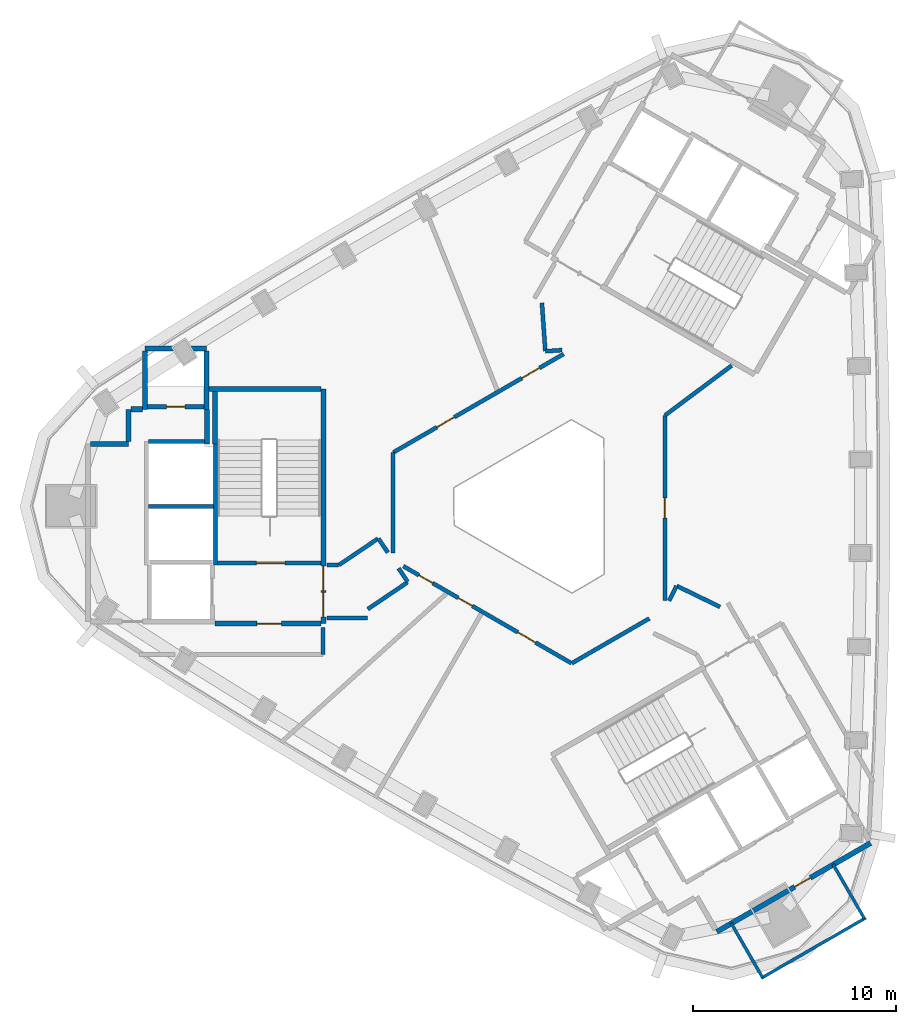
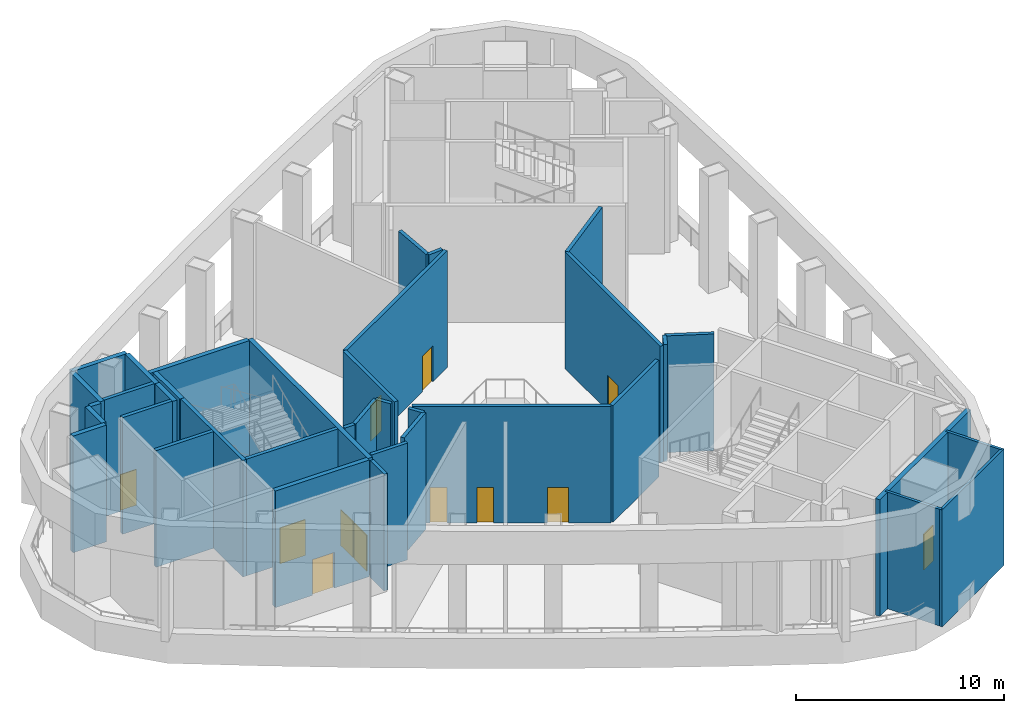
# One storey, part 3 of 8: 37 walls, 12 doors, 12 openings.
"""IFC4 building model written with IfcOpenShell, lengths in metres."""

import ifcopenshell
import ifcopenshell.guid

model = None  # the IFC model being written
_history = None  # IfcOwnerHistory: only IFC2X3 demands one
_inside = {}  # id of a spatial element -> (the spatial element, [elements in it])
_under = {}  # id of a project, library or spatial element -> (it, [spatial elements below it])
_declared = {}  # id of a project -> (the project, [libraries it declares])
_typed = {}  # id of a type object -> (the type object, [elements of that type])
_made_of = {}  # id of a material, layer set ... -> (it, [elements and type objects made of it])


def new_model(schema):
    """Start an empty IFC model of exactly this schema.

    Asked for "IFC4X3", IfcOpenShell would pick the latest addendum, in which some entities
    have other attributes; the version numbers below select the first issue.
    IFC2X3 requires an IfcOwnerHistory on every rooted entity: one is made here for all.
    """
    global model, _history
    if schema == "IFC4X3":
        model = ifcopenshell.file(schema_version=(4, 3, 0, 0))
    else:
        model = ifcopenshell.file(schema=schema)
    _inside.clear()
    _under.clear()
    _declared.clear()
    _typed.clear()
    _made_of.clear()
    _history = None
    if model.schema == "IFC2X3":
        org = make("IfcOrganization", Name="unknown")
        user = make(
            "IfcPersonAndOrganization",
            ThePerson=make("IfcPerson", FamilyName="unknown"),
            TheOrganization=org,
        )
        app = make(
            "IfcApplication",
            ApplicationDeveloper=org,
            Version="unknown",
            ApplicationFullName="unknown",
            ApplicationIdentifier="unknown",
        )
        _history = make(
            "IfcOwnerHistory",
            OwningUser=user,
            OwningApplication=app,
            ChangeAction="ADDED",
            CreationDate=0,
        )
    return model


def make(cls, **values):
    """One entity of the class cls with the attributes given. An attribute that is None is left unset."""
    return model.create_entity(
        cls, **{name: value for name, value in values.items() if value is not None}
    )


def rooted(cls, **values):
    """An entity with a GlobalId (a new one), such as an element, a storey or a relation."""
    return make(cls, GlobalId=ifcopenshell.guid.new(), OwnerHistory=_history, **values)


def si_unit(unit_type, name, prefix=None):
    """IfcSIUnit, for example si_unit("LENGTHUNIT", "METRE", prefix="MILLI")."""
    return make("IfcSIUnit", UnitType=unit_type, Prefix=prefix, Name=name)


def assignment(units):
    """IfcUnitAssignment: the units of a project."""
    return None if units is None else make("IfcUnitAssignment", Units=units)


def point(xyz):
    """IfcCartesianPoint."""
    return None if xyz is None else make("IfcCartesianPoint", Coordinates=xyz)


def direction(xyz):
    """IfcDirection."""
    return None if xyz is None else make("IfcDirection", DirectionRatios=xyz)


def frame(location, z_axis=None, x_axis=None):
    """IfcAxis2Placement3D, a coordinate frame: its origin and axes. An axis left out is left unset."""
    return make(
        "IfcAxis2Placement3D",
        Location=point(location),
        Axis=direction(z_axis),
        RefDirection=direction(x_axis),
    )


def frame_2d(location, x_axis=None):
    """IfcAxis2Placement2D, a coordinate frame in the plane: its origin and x axis."""
    return make(
        "IfcAxis2Placement2D", Location=point(location), RefDirection=direction(x_axis)
    )


def origin():
    """The frame at (0, 0, 0) with its axes left unset."""
    return frame((0.0, 0.0, 0.0))


def place(relative_to, where):
    """IfcLocalPlacement: puts the frame where relative to a parent placement (None: the world)."""
    return make(
        "IfcLocalPlacement", PlacementRelTo=relative_to, RelativePlacement=where
    )


def context(
    kind, dimensions, precision=None, world=None, true_north=None, identifier=None
):
    """IfcGeometricRepresentationContext, for example the 3D "Model" context."""
    return make(
        "IfcGeometricRepresentationContext",
        ContextIdentifier=identifier,
        ContextType=kind,
        CoordinateSpaceDimension=dimensions,
        Precision=precision,
        WorldCoordinateSystem=world,
        TrueNorth=true_north,
    )


def subcontext(parent, identifier, kind, view, scale=None):
    """IfcGeometricRepresentationSubContext, for example "Body" below "Model"."""
    return make(
        "IfcGeometricRepresentationSubContext",
        ContextIdentifier=identifier,
        ContextType=kind,
        ParentContext=parent,
        TargetScale=scale,
        TargetView=view,
    )


def project(units=None, contexts=None):
    """IfcProject with its units and contexts."""
    return rooted(
        "IfcProject",
        Name="project",
        RepresentationContexts=contexts,
        UnitsInContext=assignment(units),
    )


def spatial(cls, under=None, at=None, **own):
    """A site, building, storey or space (cls), placed at a placement, below another one or the project."""
    s = rooted(cls, ObjectPlacement=at, **own)
    if under is not None:
        _under.setdefault(under.id(), (under, []))[1].append(s)
    return s


def profile(cls, at=None, kind="AREA", **sizes):
    """A parametric profile (cls). Its sizes go by their IFC names, for example OverallWidth=200.0."""
    return make(cls, ProfileType=kind, Position=at, **sizes)


def rectangle(**sizes):
    """IfcRectangleProfileDef."""
    return profile("IfcRectangleProfileDef", **sizes)


def extrude(swept, where, along, depth):
    """IfcExtrudedAreaSolid: the profile swept, set in the frame where, extruded along a direction by depth."""
    return make(
        "IfcExtrudedAreaSolid",
        SweptArea=swept,
        Position=where,
        ExtrudedDirection=direction(along),
        Depth=depth,
    )


def shape(context_of_items, identifier, shape_type, items):
    """IfcShapeRepresentation: the items that make up one representation, for example the "Body"."""
    return make(
        "IfcShapeRepresentation",
        ContextOfItems=context_of_items,
        RepresentationIdentifier=identifier,
        RepresentationType=shape_type,
        Items=items,
    )


def material(Name=None, Category=None):
    """IfcMaterial."""
    return make("IfcMaterial", Name=Name, Category=Category)


def layer(
    of_material, thickness, ventilated=None, Name=None, Category=None, Priority=None
):
    """IfcMaterialLayer: one layer of a wall or slab, of a material (None: an air gap)."""
    return make(
        "IfcMaterialLayer",
        Material=of_material,
        LayerThickness=thickness,
        IsVentilated=ventilated,
        Name=Name,
        Category=Category,
        Priority=Priority,
    )


def layer_set(layers, Name=None):
    """IfcMaterialLayerSet."""
    return make("IfcMaterialLayerSet", MaterialLayers=layers, LayerSetName=Name)


def made_of(thing, what):
    """Note that an element or type object is made of a material, layer set ...; save() writes the relation."""
    if what is not None:
        _made_of.setdefault(what.id(), (what, []))[1].append(thing)
    return thing


def type_object(cls, material=None, **own):
    """A type object (cls), such as IfcWallType, which elements share."""
    return made_of(rooted(cls, **own), material)


def element(
    cls,
    number,
    at=None,
    inside=None,
    cuts=None,
    type_object=None,
    material=None,
    context=None,
    identifier="Body",
    shape_type=None,
    held_by="IfcProductDefinitionShape",
    body=None,
    shapes=None,
    **own,
):
    """One element of the class cls, such as IfcWall. Its Tag is "e" and its number.

    at: its placement. inside: the storey or other place that contains it. cuts: it is an
    opening in that element (IfcRelVoidsElement). A single representation is given by context,
    identifier, shape_type and body (its items); several are given by shapes. held_by: the class
    of the entity that holds the representations. save() writes the other relations.
    """
    e = rooted(cls, Tag="e%d" % number, ObjectPlacement=at, **own)
    if body is not None:
        shapes = [shape(context, identifier, shape_type, body)]
    if shapes is not None:
        e.Representation = make(held_by, Representations=shapes)
    if inside is not None:
        _inside.setdefault(inside.id(), (inside, []))[1].append(e)
    if cuts is not None:
        rooted(
            "IfcRelVoidsElement", RelatingBuildingElement=cuts, RelatedOpeningElement=e
        )
    if type_object is not None:
        _typed.setdefault(type_object.id(), (type_object, []))[1].append(e)
    return made_of(e, material)


def fill(opening, filler):
    """IfcRelFillsElement: the door or window that sits in an opening."""
    return rooted(
        "IfcRelFillsElement",
        RelatingOpeningElement=opening,
        RelatedBuildingElement=filler,
    )


def aggregate(whole, parts):
    """IfcRelAggregates: a whole, such as a stair, and the parts it consists of."""
    return rooted("IfcRelAggregates", RelatingObject=whole, RelatedObjects=parts)


def save(model, path):
    """Write the relations noted so far, then the file.

    IfcRelAggregates (storeys below a building ...), IfcRelContainedInSpatialStructure (elements
    in a storey), IfcRelDefinesByType, IfcRelAssociatesMaterial and IfcRelDeclares: one each for
    every whole, place, type object, material and project.
    """
    for whole, parts in _under.values():
        aggregate(whole, parts)
    for where, things in _inside.values():
        rooted(
            "IfcRelContainedInSpatialStructure",
            RelatedElements=things,
            RelatingStructure=where,
        )
    for kind, things in _typed.values():
        rooted("IfcRelDefinesByType", RelatedObjects=things, RelatingType=kind)
    for what, things in _made_of.values():
        rooted("IfcRelAssociatesMaterial", RelatedObjects=things, RelatingMaterial=what)
    for by, libraries in _declared.values():
        rooted("IfcRelDeclares", RelatingContext=by, RelatedDefinitions=libraries)
    model.write(path)


model = new_model("IFC4")

# Units and contexts
model_context = context("Model", 3, precision=1e-05, world=origin(), true_north=direction((0.0, 1.0)))
body_context = subcontext(model_context, "Body", "Model", "MODEL_VIEW")
ifc_project = project(units=[si_unit("LENGTHUNIT", "METRE"), si_unit("AREAUNIT", "SQUARE_METRE"), si_unit("VOLUMEUNIT", "CUBIC_METRE"), si_unit("PLANEANGLEUNIT", "RADIAN"), si_unit("MASSUNIT", "GRAM", prefix="KILO")], contexts=[model_context])

# Site, building, storey
site_placement = place(None, origin())
site = spatial("IfcSite", under=ifc_project, at=site_placement, CompositionType="ELEMENT")
building_placement = place(site_placement, origin())
building = spatial("IfcBuilding", under=site, at=building_placement, Name="Tamra Quay Hotel Tower", CompositionType="ELEMENT")
storey_placement = place(building_placement, frame((0.0, 0.0, 283.800048828125)))
storey = spatial("IfcBuildingStorey", under=building, at=storey_placement, Name="L72", CompositionType="ELEMENT", Elevation=283.800048828125)

# Wall
ifc_material_1 = material(Name="Concrete M70", Category="concrete")
ifc_layer_1 = layer(ifc_material_1, 0.199951171875)
ifc_layer_set_1 = layer_set([ifc_layer_1], Name="Concrete M70 core wall 200")
wall_type_1 = type_object("IfcWallType", Name="Concrete M70 core wall 200", PredefinedType="SHEAR", material=ifc_layer_set_1)
wall_1_placement = place(storey_placement, frame((-16.162109375, 3.073974609375, 0.0), z_axis=(0.0, 0.0, 1.0), x_axis=(0.0, -1.0, 0.0)))
element("IfcWall", 1, at=wall_1_placement, inside=storey, type_object=wall_type_1, Name="CW2", PredefinedType="SHEAR", context=body_context, shape_type="SweptSolid", body=[
    extrude(rectangle(XDim=5.97412109375, YDim=0.199951171875, at=frame_2d((2.987060546875, 0.0))), origin(), (0.0, 0.0, 1.0), 6.849853515625),
])

# Wall, opening, door
wall_2_placement = place(storey_placement, frame((-10.96337890625, -2.800048828125, 0.0), z_axis=(0.0, 0.0, 1.0), x_axis=(-1.0, 0.0, 0.0)))
wall_2 = element("IfcWall", 2, at=wall_2_placement, inside=storey, type_object=wall_type_1, Name="CW2", PredefinedType="SHEAR", context=body_context, shape_type="SweptSolid", body=[
    extrude(rectangle(XDim=5.097900390625, YDim=0.199951171875, at=frame_2d((2.548828125, 0.0))), origin(), (0.0, 0.0, 1.0), 6.849853515625),
])
opening_1_placement = place(wall_2_placement, frame((1.77392578125, 0.0, 0.0)))
opening_1 = element("IfcOpeningElement", 3, at=opening_1_placement, cuts=wall_2, Name="Opening FD2", PredefinedType="OPENING", context=body_context, shape_type="SweptSolid", body=[
    extrude(rectangle(XDim=1.39990234375, YDim=2.10009765625, at=frame_2d((0.699951171875, 1.050048828125))), frame((0.0, 0.10986328125, 0.0), z_axis=(0.0, -1.0, 0.0), x_axis=(1.0, 0.0, 0.0)), (0.0, 0.0, 1.0), 0.219970703125),
])
ifc_material_2 = material(Name="Core door FD2 1400x2100 LH")
door_type_1 = type_object("IfcDoorType", Name="Core door FD2 1400x2100 LH", OperationType="NOTDEFINED", PredefinedType="DOOR", material=ifc_material_2)
door_1_placement = place(opening_1_placement, origin())
door_1 = element("IfcDoor", 4, at=door_1_placement, inside=storey, type_object=door_type_1, Name="FD2", OperationType="SINGLE_SWING_LEFT", OverallHeight=2.10009765625, OverallWidth=1.39990234375, PredefinedType="DOOR", context=body_context, shape_type="SweptSolid", body=[
    extrude(rectangle(XDim=1.39990234375, YDim=2.10009765625, at=frame_2d((0.699951171875, 1.050048828125))), frame((0.0, 0.02490234375, 0.0), z_axis=(0.0, -1.0, 0.0), x_axis=(1.0, 0.0, 0.0)), (0.0, 0.0, 1.0), 0.050048828125),
])
fill(opening_1, door_1)

# Wall
wall_3_placement = place(storey_placement, frame((-16.26318359375, 0.0, 0.0), z_axis=(0.0, 0.0, 1.0), x_axis=(-1.0, 0.0, 0.0)))
element("IfcWall", 5, at=wall_3_placement, inside=storey, type_object=wall_type_1, Name="CW2", PredefinedType="SHEAR", context=body_context, shape_type="SweptSolid", body=[
    extrude(rectangle(XDim=3.1982421875, YDim=0.199951171875, at=frame_2d((1.59912109375, 0.0))), origin(), (0.0, 0.0, 1.0), 6.849853515625),
])

# Wall, opening, door
wall_4_placement = place(storey_placement, frame((-19.51123046875, 4.91015625, 0.0), z_axis=(0.0, 0.0, 1.0), x_axis=(1.0, 0.0, 0.0)))
wall_4 = element("IfcWall", 6, at=wall_4_placement, inside=storey, type_object=wall_type_1, Name="CW2", PredefinedType="SHEAR", context=body_context, shape_type="SweptSolid", body=[
    extrude(rectangle(XDim=2.7978515625, YDim=0.199951171875, at=frame_2d((1.39892578125, 0.0))), origin(), (0.0, 0.0, 1.0), 6.849853515625),
])
opening_2_placement = place(wall_4_placement, frame((0.948974609375, 0.0, 0.0)))
opening_2 = element("IfcOpeningElement", 7, at=opening_2_placement, cuts=wall_4, Name="Opening D1", PredefinedType="OPENING", context=body_context, shape_type="SweptSolid", body=[
    extrude(rectangle(XDim=0.89990234375, YDim=2.10009765625, at=frame_2d((0.449951171875, 1.050048828125))), frame((0.0, 0.10986328125, 0.0), z_axis=(0.0, -1.0, 0.0), x_axis=(1.0, 0.0, 0.0)), (0.0, 0.0, 1.0), 0.219970703125),
])
ifc_material_3 = material(Name="Core door D1 900x2100 RH")
door_type_2 = type_object("IfcDoorType", Name="Core door D1 900x2100 RH", OperationType="NOTDEFINED", PredefinedType="DOOR", material=ifc_material_3)
door_2_placement = place(opening_2_placement, origin())
door_2 = element("IfcDoor", 8, at=door_2_placement, inside=storey, type_object=door_type_2, Name="D1", OperationType="SINGLE_SWING_RIGHT", OverallHeight=2.10009765625, OverallWidth=0.89990234375, PredefinedType="DOOR", context=body_context, shape_type="SweptSolid", body=[
    extrude(rectangle(XDim=0.89990234375, YDim=2.10009765625, at=frame_2d((0.449951171875, 1.050048828125))), frame((0.0, 0.02490234375, 0.0), z_axis=(0.0, -1.0, 0.0), x_axis=(1.0, 0.0, 0.0)), (0.0, 0.0, 1.0), 0.050048828125),
])
fill(opening_2, door_2)

# Wall
wall_5_placement = place(storey_placement, frame((-19.46240234375, 3.2001953125, 0.0), z_axis=(0.0, 0.0, 1.0), x_axis=(1.0, 0.0, 0.0)))
element("IfcWall", 9, at=wall_5_placement, inside=storey, type_object=wall_type_1, Name="CW2", PredefinedType="SHEAR", context=body_context, shape_type="SweptSolid", body=[
    extrude(rectangle(XDim=2.759033203125, YDim=0.199951171875, at=frame_2d((1.37939453125, 0.0))), origin(), (0.0, 0.0, 1.0), 6.849853515625),
])

# Wall, openings, doors
ifc_layer_2 = layer(ifc_material_1, 0.25)
ifc_layer_set_2 = layer_set([ifc_layer_2], Name="Concrete M70 core wall 250")
wall_type_2 = type_object("IfcWallType", Name="Concrete M70 core wall 250", PredefinedType="SHEAR", material=ifc_layer_set_2)
wall_6_placement = place(storey_placement, frame((-10.83740234375, 5.77490234375, 0.0), z_axis=(0.0, 0.0, 1.0), x_axis=(0.0, -1.0, 0.0)))
wall_6 = element("IfcWall", 10, at=wall_6_placement, inside=storey, type_object=wall_type_2, Name="CW1", PredefinedType="SHEAR", context=body_context, shape_type="SweptSolid", body=[
    extrude(rectangle(XDim=11.5498046875, YDim=0.25, at=frame_2d((5.77490234375, 0.0))), origin(), (0.0, 0.0, 1.0), 6.849853515625),
])
opening_3_placement = place(wall_6_placement, frame((10.02490234375, 0.0, 0.0)))
opening_3 = element("IfcOpeningElement", 11, at=opening_3_placement, cuts=wall_6, Name="Opening FD1", PredefinedType="OPENING", context=body_context, shape_type="SweptSolid", body=[
    extrude(rectangle(XDim=1.199951171875, YDim=2.10009765625, at=frame_2d((0.60009765625, 1.050048828125))), frame((0.0, 0.135009765625, 0.0), z_axis=(0.0, -1.0, 0.0), x_axis=(1.0, 0.0, 0.0)), (0.0, 0.0, 1.0), 0.27001953125),
])
opening_4_placement = place(wall_6_placement, frame((8.72509765625, 0.0, 0.0)))
opening_4 = element("IfcOpeningElement", 12, at=opening_4_placement, cuts=wall_6, Name="Opening FD1", PredefinedType="OPENING", context=body_context, shape_type="SweptSolid", body=[
    extrude(rectangle(XDim=1.199951171875, YDim=2.10009765625, at=frame_2d((0.60009765625, 1.050048828125))), frame((0.0, 0.135009765625, 0.0), z_axis=(0.0, -1.0, 0.0), x_axis=(1.0, 0.0, 0.0)), (0.0, 0.0, 1.0), 0.27001953125),
])
ifc_material_4 = material(Name="Core door FD1 1200x2100 LH")
door_type_3 = type_object("IfcDoorType", Name="Core door FD1 1200x2100 LH", OperationType="NOTDEFINED", PredefinedType="DOOR", material=ifc_material_4)
door_3_placement = place(opening_3_placement, origin())
door_3 = element("IfcDoor", 13, at=door_3_placement, inside=storey, type_object=door_type_3, Name="FD1", OperationType="SINGLE_SWING_LEFT", OverallHeight=2.10009765625, OverallWidth=1.199951171875, PredefinedType="DOOR", context=body_context, shape_type="SweptSolid", body=[
    extrude(rectangle(XDim=1.199951171875, YDim=2.10009765625, at=frame_2d((0.60009765625, 1.050048828125))), frame((0.0, 0.02490234375, 0.0), z_axis=(0.0, -1.0, 0.0), x_axis=(1.0, 0.0, 0.0)), (0.0, 0.0, 1.0), 0.050048828125),
])
fill(opening_3, door_3)
ifc_material_5 = material(Name="Core door FD1 1200x2100 RH")
door_type_4 = type_object("IfcDoorType", Name="Core door FD1 1200x2100 RH", OperationType="NOTDEFINED", PredefinedType="DOOR", material=ifc_material_5)
door_4_placement = place(opening_4_placement, origin())
door_4 = element("IfcDoor", 14, at=door_4_placement, inside=storey, type_object=door_type_4, Name="FD1", OperationType="SINGLE_SWING_RIGHT", OverallHeight=2.10009765625, OverallWidth=1.199951171875, PredefinedType="DOOR", context=body_context, shape_type="SweptSolid", body=[
    extrude(rectangle(XDim=1.199951171875, YDim=2.10009765625, at=frame_2d((0.60009765625, 1.050048828125))), frame((0.0, 0.02490234375, 0.0), z_axis=(0.0, -1.0, 0.0), x_axis=(1.0, 0.0, 0.0)), (0.0, 0.0, 1.0), 0.050048828125),
])
fill(opening_4, door_4)

# Wall, opening, door
wall_7_placement = place(storey_placement, frame((-10.962646484375, -5.77490234375, 0.0), z_axis=(0.0, 0.0, 1.0), x_axis=(-1.0, 0.0, 0.0)))
wall_7 = element("IfcWall", 15, at=wall_7_placement, inside=storey, type_object=wall_type_2, Name="CW1", PredefinedType="SHEAR", context=body_context, shape_type="SweptSolid", body=[
    extrude(rectangle(XDim=5.224609375, YDim=0.25, at=frame_2d((2.6123046875, 0.0))), origin(), (0.0, 0.0, 1.0), 6.849853515625),
])
opening_5_placement = place(wall_7_placement, frame((1.94921875, 0.0, 0.0)))
opening_5 = element("IfcOpeningElement", 16, at=opening_5_placement, cuts=wall_7, Name="Opening FD1", PredefinedType="OPENING", context=body_context, shape_type="SweptSolid", body=[
    extrude(rectangle(XDim=1.199951171875, YDim=2.10009765625, at=frame_2d((0.60009765625, 1.050048828125))), frame((0.0, 0.135009765625, 0.0), z_axis=(0.0, -1.0, 0.0), x_axis=(1.0, 0.0, 0.0)), (0.0, 0.0, 1.0), 0.27001953125),
])
door_5_placement = place(opening_5_placement, origin())
door_5 = element("IfcDoor", 17, at=door_5_placement, inside=storey, type_object=door_type_3, Name="FD1", OperationType="SINGLE_SWING_LEFT", OverallHeight=2.10009765625, OverallWidth=1.199951171875, PredefinedType="DOOR", context=body_context, shape_type="SweptSolid", body=[
    extrude(rectangle(XDim=1.199951171875, YDim=2.10009765625, at=frame_2d((0.60009765625, 1.050048828125))), frame((0.0, 0.02490234375, 0.0), z_axis=(0.0, -1.0, 0.0), x_axis=(1.0, 0.0, 0.0)), (0.0, 0.0, 1.0), 0.050048828125),
])
fill(opening_5, door_5)

# Walls
wall_8_placement = place(storey_placement, frame((-16.47216796875, 5.77490234375, 0.0), z_axis=(0.0, 0.0, 1.0), x_axis=(1.0, 0.0, 0.0)))
element("IfcWall", 18, at=wall_8_placement, inside=storey, type_object=wall_type_2, Name="CW1", PredefinedType="SHEAR", context=body_context, shape_type="SweptSolid", body=[
    extrude(rectangle(XDim=5.509521484375, YDim=0.25, at=frame_2d((2.7548828125, 0.0))), origin(), (0.0, 0.0, 1.0), 6.849853515625),
])
wall_9_placement = place(storey_placement, frame((-19.63720703125, 7.77490234375, 0.0), z_axis=(0.0, 0.0, 1.0), x_axis=(1.0, 0.0, 0.0)))
element("IfcWall", 19, at=wall_9_placement, inside=storey, type_object=wall_type_2, Name="CW1", PredefinedType="SHEAR", context=body_context, shape_type="SweptSolid", body=[
    extrude(rectangle(XDim=3.0498046875, YDim=0.25, at=frame_2d((1.52490234375, 0.0))), origin(), (0.0, 0.0, 1.0), 6.849853515625),
])
for number, where, z_axis, x_axis, name in (
    (20, (-16.58740234375, 7.649658203125, 0.0), (0.0, 0.0, 1.0), (0.0, -1.0, 0.0), "CW1"),
    (21, (-19.63720703125, 4.784912109375, 0.0), (0.0, 0.0, 1.0), (0.0, 1.0, 0.0), "CW1"),
):
    element("IfcWall", number, at=place(storey_placement, frame(where, z_axis=z_axis, x_axis=x_axis)), inside=storey, type_object=wall_type_2, Name=name, PredefinedType="SHEAR", context=body_context, shape_type="SweptSolid", body=[
        extrude(rectangle(XDim=2.86474609375, YDim=0.25, at=frame_2d((1.432373046875, 0.0))), origin(), (0.0, 0.0, 1.0), 6.849853515625),
    ])
wall_10_placement = place(storey_placement, frame((-16.187255859375, 3.074951171875, 0.0), z_axis=(0.0, 0.0, 1.0), x_axis=(0.0, 1.0, 0.0)))
element("IfcWall", 22, at=wall_10_placement, inside=storey, type_object=wall_type_2, Name="CW1", PredefinedType="SHEAR", context=body_context, shape_type="SweptSolid", body=[
    extrude(rectangle(XDim=2.57470703125, YDim=0.25, at=frame_2d((1.287353515625, 0.0))), origin(), (0.0, 0.0, 1.0), 6.849853515625),
])
wall_11_placement = place(storey_placement, frame((-22.311767578125, 3.074951171875, 0.0), z_axis=(0.0, 0.0, 1.0), x_axis=(1.0, 0.0, 0.0)))
element("IfcWall", 23, at=wall_11_placement, inside=storey, type_object=wall_type_2, Name="CW1", PredefinedType="SHEAR", context=body_context, shape_type="SweptSolid", body=[
    extrude(rectangle(XDim=1.864501953125, YDim=0.25, at=frame_2d((0.93212890625, 0.0))), origin(), (0.0, 0.0, 1.0), 6.849853515625),
])
wall_12_placement = place(storey_placement, frame((-16.577392578125, 4.784912109375, 0.0), z_axis=(0.0, 0.0, 1.0), x_axis=(0.0, -1.0, 0.0)))
element("IfcWall", 24, at=wall_12_placement, inside=storey, type_object=wall_type_2, Name="CW1", PredefinedType="SHEAR", context=body_context, shape_type="SweptSolid", body=[
    extrude(rectangle(XDim=1.7099609375, YDim=0.25, at=frame_2d((0.85498046875, 0.0))), origin(), (0.0, 0.0, 1.0), 6.849853515625),
])
wall_13_placement = place(storey_placement, frame((-20.447265625, 3.200439453125, 0.0), z_axis=(0.0, 0.0, 1.0), x_axis=(0.0, 1.0, 0.0)))
element("IfcWall", 25, at=wall_13_placement, inside=storey, type_object=wall_type_2, Name="CW1", PredefinedType="SHEAR", context=body_context, shape_type="SweptSolid", body=[
    extrude(rectangle(XDim=1.58447265625, YDim=0.25, at=frame_2d((0.792236328125, 0.0))), origin(), (0.0, 0.0, 1.0), 6.849853515625),
])
wall_14_placement = place(storey_placement, frame((-20.32177734375, 4.784912109375, 0.0), z_axis=(0.0, 0.0, 1.0), x_axis=(1.0, 0.0, 0.0)))
element("IfcWall", 26, at=wall_14_placement, inside=storey, type_object=wall_type_2, Name="CW1", PredefinedType="SHEAR", context=body_context, shape_type="SweptSolid", body=[
    extrude(rectangle(XDim=0.55908203125, YDim=0.25, at=frame_2d((0.279541015625, 0.0))), origin(), (0.0, 0.0, 1.0), 6.849853515625),
])

# Wall, opening, door
wall_15_placement = place(storey_placement, frame((16.13330078125, -16.59375, 0.0), z_axis=(0.0, 0.0, 1.0), x_axis=(-0.866022959057, -0.500004234368, 0.0)))
wall_15 = element("IfcWall", 27, at=wall_15_placement, inside=storey, type_object=wall_type_2, Name="CW1", PredefinedType="SHEAR", context=body_context, shape_type="SweptSolid", body=[
    extrude(rectangle(XDim=8.75, YDim=0.25, at=frame_2d((4.375, 0.0))), origin(), (0.0, 0.0, 1.0), 6.849853515625),
])
opening_6_placement = place(wall_15_placement, frame((3.425048828125, 0.0, 0.0)))
opening_6 = element("IfcOpeningElement", 28, at=opening_6_placement, cuts=wall_15, Name="Opening D2", PredefinedType="OPENING", context=body_context, shape_type="SweptSolid", body=[
    extrude(rectangle(XDim=0.89990234375, YDim=2.10009765625, at=frame_2d((0.449951171875, 1.050048828125))), frame((0.0, 0.135009765625, 0.0), z_axis=(0.0, -1.0, 0.0), x_axis=(1.0, 0.0, 0.0)), (0.0, 0.0, 1.0), 0.27001953125),
])
ifc_material_6 = material(Name="Core door D2 900x2100 LH")
door_type_5 = type_object("IfcDoorType", Name="Core door D2 900x2100 LH", OperationType="NOTDEFINED", PredefinedType="DOOR", material=ifc_material_6)
door_6_placement = place(opening_6_placement, origin())
door_6 = element("IfcDoor", 29, at=door_6_placement, inside=storey, type_object=door_type_5, Name="D2", OperationType="SINGLE_SWING_LEFT", OverallHeight=2.10009765625, OverallWidth=0.89990234375, PredefinedType="DOOR", context=body_context, shape_type="SweptSolid", body=[
    extrude(rectangle(XDim=0.89990234375, YDim=2.10009765625, at=frame_2d((0.449951171875, 1.050048828125))), frame((0.0, 0.02490234375, 0.0), z_axis=(0.0, -1.0, 0.0), x_axis=(1.0, 0.0, 0.0)), (0.0, 0.0, 1.0), 0.050048828125),
])
fill(opening_6, door_6)

# Walls
ifc_material_7 = material(Name="Blockwork", Category="masonry")
ifc_layer_3 = layer(ifc_material_7, 0.14990234375)
ifc_layer_set_3 = layer_set([ifc_layer_3], Name="Core partition block 150")
wall_type_3 = type_object("IfcWallType", Name="Core partition block 150", PredefinedType="PARTITIONING", material=ifc_layer_set_3)
wall_16_placement = place(storey_placement, frame((14.280517578125, -17.634521484375, 0.0), z_axis=(0.0, 0.0, 1.0), x_axis=(0.49999285859, -0.86602952684, 0.0)))
element("IfcWall", 30, at=wall_16_placement, inside=storey, type_object=wall_type_3, Name="CP1", PredefinedType="PARTITIONING", context=body_context, shape_type="SweptSolid", body=[
    extrude(rectangle(XDim=3.10009765625, YDim=0.14990234375, at=frame_2d((1.550048828125, 0.0))), origin(), (0.0, 0.0, 1.0), 6.849853515625),
])
wall_17_placement = place(storey_placement, frame((15.8955078125, -20.28173828125, 0.0), z_axis=(0.0, 0.0, 1.0), x_axis=(-0.866017493347, -0.500013701029, 0.0)))
element("IfcWall", 31, at=wall_17_placement, inside=storey, type_object=wall_type_3, Name="CP1", PredefinedType="PARTITIONING", context=body_context, shape_type="SweptSolid", body=[
    extrude(rectangle(XDim=5.949951171875, YDim=0.14990234375, at=frame_2d((2.97509765625, 0.0))), origin(), (0.0, 0.0, 1.0), 6.849853515625),
])
wall_18_placement = place(storey_placement, frame((10.8076171875, -23.21923828125, 0.0), z_axis=(0.0, 0.0, 1.0), x_axis=(-0.500026960575, 0.86600983753, 0.0)))
element("IfcWall", 32, at=wall_18_placement, inside=storey, type_object=wall_type_3, Name="CP1", PredefinedType="PARTITIONING", context=body_context, shape_type="SweptSolid", body=[
    extrude(rectangle(XDim=3.099853515625, YDim=0.14990234375, at=frame_2d((1.5498046875, 0.0))), origin(), (0.0, 0.0, 1.0), 6.849853515625),
])
ifc_material_8 = material(Name="Partition corridor wall")
ifc_layer_4 = layer(ifc_material_8, 0.199951171875)
ifc_layer_set_4 = layer_set([ifc_layer_4], Name="Partition corridor wall")
wall_type_4 = type_object("IfcWallType", Name="Partition corridor wall", PredefinedType="PARTITIONING", material=ifc_layer_set_4)
wall_19_placement = place(storey_placement, frame((-10.862060546875, -7.300048828125, 0.0), z_axis=(0.0, 0.0, 1.0), x_axis=(0.0, 1.0, 0.0)))
element("IfcWall", 33, at=wall_19_placement, inside=storey, type_object=wall_type_4, Name="W-C", PredefinedType="PARTITIONING", context=body_context, shape_type="SweptSolid", body=[
    extrude(rectangle(XDim=1.340087890625, YDim=0.199951171875, at=frame_2d((0.669921875, 0.0))), origin(), (0.0, 0.0, 1.0), 6.849853515625),
])
wall_20_placement = place(storey_placement, frame((-10.65234375, -5.5, 0.0), z_axis=(0.0, 0.0, 1.0), x_axis=(1.0, 0.0, 0.0)))
element("IfcWall", 34, at=wall_20_placement, inside=storey, type_object=wall_type_4, Name="W-C", PredefinedType="PARTITIONING", context=body_context, shape_type="SweptSolid", body=[
    extrude(rectangle(XDim=1.9892578125, YDim=0.199951171875, at=frame_2d((0.99462890625, 0.0))), origin(), (0.0, 0.0, 1.0), 6.849853515625),
])
wall_21_placement = place(storey_placement, frame((-10.65234375, -2.89990234375, 0.0), z_axis=(0.0, 0.0, 1.0), x_axis=(1.0, 0.0, 0.0)))
element("IfcWall", 35, at=wall_21_placement, inside=storey, type_object=wall_type_4, Name="W-C", PredefinedType="PARTITIONING", context=body_context, shape_type="SweptSolid", body=[
    extrude(rectangle(XDim=0.563232421875, YDim=0.199951171875, at=frame_2d((0.28173828125, 0.0))), origin(), (0.0, 0.0, 1.0), 6.849853515625),
])
wall_22_placement = place(storey_placement, frame((-10.070068359375, -2.89208984375, 0.0), z_axis=(0.0, 0.0, 1.0), x_axis=(0.828131902324, 0.560533274974, 0.0)))
element("IfcWall", 36, at=wall_22_placement, inside=storey, type_object=wall_type_4, Name="W-C", PredefinedType="PARTITIONING", context=body_context, shape_type="SweptSolid", body=[
    extrude(rectangle(XDim=2.33203125, YDim=0.199951171875, at=frame_2d((1.166015625, 0.0))), origin(), (0.0, 0.0, 1.0), 6.849853515625),
])
wall_23_placement = place(storey_placement, frame((-8.64599609375, -5.06494140625, 0.0), z_axis=(0.0, 0.0, 1.0), x_axis=(0.828455481329, 0.560054921821, 0.0)))
element("IfcWall", 37, at=wall_23_placement, inside=storey, type_object=wall_type_4, Name="W-C", PredefinedType="PARTITIONING", context=body_context, shape_type="SweptSolid", body=[
    extrude(rectangle(XDim=2.3623046875, YDim=0.199951171875, at=frame_2d((1.18115234375, 0.0))), origin(), (0.0, 0.0, 1.0), 6.849853515625),
])
wall_24_placement = place(storey_placement, frame((-8.1201171875, -1.591064453125, 0.0), z_axis=(0.0, 0.0, 1.0), x_axis=(0.560048326839, -0.82845993965, 0.0)))
element("IfcWall", 38, at=wall_24_placement, inside=storey, type_object=wall_type_4, Name="W-C", PredefinedType="PARTITIONING", context=body_context, shape_type="SweptSolid", body=[
    extrude(rectangle(XDim=0.830322265625, YDim=0.199951171875, at=frame_2d((0.4150390625, 0.0))), origin(), (0.0, 0.0, 1.0), 6.849853515625),
])
wall_25_placement = place(storey_placement, frame((-7.39990234375, -2.2939453125, 0.0), z_axis=(0.0, 0.0, 1.0), x_axis=(0.0, 1.0, 0.0)))
element("IfcWall", 39, at=wall_25_placement, inside=storey, type_object=wall_type_4, Name="W-C", PredefinedType="PARTITIONING", context=body_context, shape_type="SweptSolid", body=[
    extrude(rectangle(XDim=4.947998046875, YDim=0.199951171875, at=frame_2d((2.47412109375, 0.0))), origin(), (0.0, 0.0, 1.0), 6.849853515625),
])

# Wall, openings, doors
wall_26_placement = place(storey_placement, frame((-7.38818359375, 2.659423828125, 0.0), z_axis=(0.0, 0.0, 1.0), x_axis=(0.865840346806, 0.500320391192, 0.0)))
wall_26 = element("IfcWall", 40, at=wall_26_placement, inside=storey, type_object=wall_type_4, Name="W-C", PredefinedType="PARTITIONING", context=body_context, shape_type="SweptSolid", body=[
    extrude(rectangle(XDim=9.695068359375, YDim=0.199951171875, at=frame_2d((4.84765625, 0.0))), origin(), (0.0, 0.0, 1.0), 6.849853515625),
])
opening_7_placement = place(wall_26_placement, frame((7.318115234375, 0.0, 0.0)))
opening_7 = element("IfcOpeningElement", 41, at=opening_7_placement, cuts=wall_26, Name="Opening L72-D002", PredefinedType="OPENING", context=body_context, shape_type="SweptSolid", body=[
    extrude(rectangle(XDim=1.0, YDim=2.10009765625, at=frame_2d((0.5, 1.050048828125))), frame((0.0, 0.10986328125, 0.0), z_axis=(0.0, -1.0, 0.0), x_axis=(1.0, 0.0, 0.0)), (0.0, 0.0, 1.0), 0.219970703125),
])
opening_8_placement = place(wall_26_placement, frame((2.481201171875, 0.0, 0.0)))
opening_8 = element("IfcOpeningElement", 42, at=opening_8_placement, cuts=wall_26, Name="Opening L72-D003", PredefinedType="OPENING", context=body_context, shape_type="SweptSolid", body=[
    extrude(rectangle(XDim=1.0, YDim=2.10009765625, at=frame_2d((0.5, 1.050048828125))), frame((0.0, 0.10986328125, 0.0), z_axis=(0.0, -1.0, 0.0), x_axis=(1.0, 0.0, 0.0)), (0.0, 0.0, 1.0), 0.219970703125),
])
ifc_material_9 = material(Name="Door guest room 1000x2100")
door_type_6 = type_object("IfcDoorType", Name="Door guest room 1000x2100", OperationType="NOTDEFINED", PredefinedType="DOOR", material=ifc_material_9)
door_7_placement = place(opening_7_placement, origin())
door_7 = element("IfcDoor", 43, at=door_7_placement, inside=storey, type_object=door_type_6, Name="L72-D002", OperationType="SINGLE_SWING_LEFT", OverallHeight=2.10009765625, OverallWidth=1.0, PredefinedType="DOOR", context=body_context, shape_type="SweptSolid", body=[
    extrude(rectangle(XDim=1.0, YDim=2.10009765625, at=frame_2d((0.5, 1.050048828125))), frame((0.0, 0.02490234375, 0.0), z_axis=(0.0, -1.0, 0.0), x_axis=(1.0, 0.0, 0.0)), (0.0, 0.0, 1.0), 0.050048828125),
])
fill(opening_7, door_7)
door_8_placement = place(opening_8_placement, origin())
door_8 = element("IfcDoor", 44, at=door_8_placement, inside=storey, type_object=door_type_6, Name="L72-D003", OperationType="SINGLE_SWING_LEFT", OverallHeight=2.10009765625, OverallWidth=1.0, PredefinedType="DOOR", context=body_context, shape_type="SweptSolid", body=[
    extrude(rectangle(XDim=1.0, YDim=2.10009765625, at=frame_2d((0.5, 1.050048828125))), frame((0.0, 0.02490234375, 0.0), z_axis=(0.0, -1.0, 0.0), x_axis=(1.0, 0.0, 0.0)), (0.0, 0.0, 1.0), 0.050048828125),
])
fill(opening_8, door_8)

# Wall
wall_27_placement = place(storey_placement, frame((-7.1328125, -3.051513671875, 0.0), z_axis=(0.0, 0.0, 1.0), x_axis=(0.559868666629, -0.828581363613, 0.0)))
element("IfcWall", 45, at=wall_27_placement, inside=storey, type_object=wall_type_4, Name="W-C", PredefinedType="PARTITIONING", context=body_context, shape_type="SweptSolid", body=[
    extrude(rectangle(XDim=0.804931640625, YDim=0.199951171875, at=frame_2d((0.40234375, 0.0))), origin(), (0.0, 0.0, 1.0), 6.849853515625),
])

# Wall, openings, doors
wall_28_placement = place(storey_placement, frame((-6.89501953125, -2.947998046875, 0.0), z_axis=(0.0, 0.0, 1.0), x_axis=(0.865991331413, -0.500059010435, 0.0)))
wall_28 = element("IfcWall", 46, at=wall_28_placement, inside=storey, type_object=wall_type_4, Name="W-C", PredefinedType="PARTITIONING", context=body_context, shape_type="SweptSolid", body=[
    extrude(rectangle(XDim=9.565185546875, YDim=0.199951171875, at=frame_2d((4.78271484375, 0.0))), origin(), (0.0, 0.0, 1.0), 6.849853515625),
])
opening_9_placement = place(wall_28_placement, frame((0.87890625, 0.0, 0.0)))
opening_9 = element("IfcOpeningElement", 47, at=opening_9_placement, cuts=wall_28, Name="Opening L72-D004", PredefinedType="OPENING", context=body_context, shape_type="SweptSolid", body=[
    extrude(rectangle(XDim=0.800048828125, YDim=2.10009765625, at=frame_2d((0.39990234375, 1.050048828125))), frame((0.0, 0.10986328125, 0.0), z_axis=(0.0, -1.0, 0.0), x_axis=(1.0, 0.0, 0.0)), (0.0, 0.0, 1.0), 0.219970703125),
])
opening_10_placement = place(wall_28_placement, frame((3.123291015625, 0.0, 0.0)))
opening_10 = element("IfcOpeningElement", 48, at=opening_10_placement, cuts=wall_28, Name="Opening L72-D005", PredefinedType="OPENING", context=body_context, shape_type="SweptSolid", body=[
    extrude(rectangle(XDim=0.800048828125, YDim=2.10009765625, at=frame_2d((0.39990234375, 1.050048828125))), frame((0.0, 0.10986328125, 0.0), z_axis=(0.0, -1.0, 0.0), x_axis=(1.0, 0.0, 0.0)), (0.0, 0.0, 1.0), 0.219970703125),
])
opening_11_placement = place(wall_28_placement, frame((6.5263671875, 0.0, 0.0)))
opening_11 = element("IfcOpeningElement", 49, at=opening_11_placement, cuts=wall_28, Name="Opening L72-D006", PredefinedType="OPENING", context=body_context, shape_type="SweptSolid", body=[
    extrude(rectangle(XDim=1.0, YDim=2.10009765625, at=frame_2d((0.5, 1.050048828125))), frame((0.0, 0.10986328125, 0.0), z_axis=(0.0, -1.0, 0.0), x_axis=(1.0, 0.0, 0.0)), (0.0, 0.0, 1.0), 0.219970703125),
])
door_9_placement = place(opening_11_placement, frame((1.0, 0.0, 0.0), z_axis=(0.0, 0.0, 1.0), x_axis=(-1.0, 0.0, 0.0)))
door_9 = element("IfcDoor", 50, at=door_9_placement, inside=storey, type_object=door_type_6, Name="L72-D006", OperationType="SINGLE_SWING_LEFT", OverallHeight=2.10009765625, OverallWidth=1.0, PredefinedType="DOOR", context=body_context, shape_type="SweptSolid", body=[
    extrude(rectangle(XDim=1.0, YDim=2.10009765625, at=frame_2d((0.5, 1.050048828125))), frame((0.0, 0.02490234375, 0.0), z_axis=(0.0, -1.0, 0.0), x_axis=(1.0, 0.0, 0.0)), (0.0, 0.0, 1.0), 0.050048828125),
])
fill(opening_11, door_9)
ifc_material_10 = material(Name="Door service room 800x2100")
door_type_7 = type_object("IfcDoorType", Name="Door service room 800x2100", OperationType="NOTDEFINED", PredefinedType="DOOR", material=ifc_material_10)
door_10_placement = place(opening_9_placement, frame((0.800048828125, 0.0, 0.0), z_axis=(0.0, 0.0, 1.0), x_axis=(-1.0, 0.0, 0.0)))
door_10 = element("IfcDoor", 51, at=door_10_placement, inside=storey, type_object=door_type_7, Name="L72-D004", OperationType="SINGLE_SWING_LEFT", OverallHeight=2.10009765625, OverallWidth=0.800048828125, PredefinedType="DOOR", context=body_context, shape_type="SweptSolid", body=[
    extrude(rectangle(XDim=0.800048828125, YDim=2.10009765625, at=frame_2d((0.39990234375, 1.050048828125))), frame((0.0, 0.02490234375, 0.0), z_axis=(0.0, -1.0, 0.0), x_axis=(1.0, 0.0, 0.0)), (0.0, 0.0, 1.0), 0.050048828125),
])
fill(opening_9, door_10)
door_11_placement = place(opening_10_placement, frame((0.800048828125, 0.0, 0.0), z_axis=(0.0, 0.0, 1.0), x_axis=(-1.0, 0.0, 0.0)))
door_11 = element("IfcDoor", 52, at=door_11_placement, inside=storey, type_object=door_type_7, Name="L72-D005", OperationType="SINGLE_SWING_LEFT", OverallHeight=2.10009765625, OverallWidth=0.800048828125, PredefinedType="DOOR", context=body_context, shape_type="SweptSolid", body=[
    extrude(rectangle(XDim=0.800048828125, YDim=2.10009765625, at=frame_2d((0.39990234375, 1.050048828125))), frame((0.0, 0.02490234375, 0.0), z_axis=(0.0, -1.0, 0.0), x_axis=(1.0, 0.0, 0.0)), (0.0, 0.0, 1.0), 0.050048828125),
])
fill(opening_10, door_11)

# Walls
wall_29_placement = place(storey_placement, frame((-0.06494140625, 10.030029296875, 0.0), z_axis=(0.0, 0.0, 1.0), x_axis=(0.070396260623, -0.997519105827, 0.0)))
element("IfcWall", 53, at=wall_29_placement, inside=storey, type_object=wall_type_4, Name="W-C", PredefinedType="PARTITIONING", context=body_context, shape_type="SweptSolid", body=[
    extrude(rectangle(XDim=2.385986328125, YDim=0.199951171875, at=frame_2d((1.19287109375, 0.0))), origin(), (0.0, 0.0, 1.0), 6.849853515625),
])
wall_30_placement = place(storey_placement, frame((0.10791015625, 7.64501953125, 0.0), z_axis=(0.0, 0.0, 1.0), x_axis=(0.997476913372, 0.070991600141, 0.0)))
element("IfcWall", 54, at=wall_30_placement, inside=storey, type_object=wall_type_4, Name="W-C", PredefinedType="PARTITIONING", context=body_context, shape_type="SweptSolid", body=[
    extrude(rectangle(XDim=0.81494140625, YDim=0.199951171875, at=frame_2d((0.407470703125, 0.0))), origin(), (0.0, 0.0, 1.0), 6.849853515625),
])
wall_31_placement = place(storey_placement, frame((1.409912109375, -7.73291015625, 0.0), z_axis=(0.0, 0.0, 1.0), x_axis=(0.865821381066, 0.50035321133, 0.0)))
element("IfcWall", 55, at=wall_31_placement, inside=storey, type_object=wall_type_4, Name="W-C", PredefinedType="PARTITIONING", context=body_context, shape_type="SweptSolid", body=[
    extrude(rectangle(XDim=4.410888671875, YDim=0.199951171875, at=frame_2d((2.20556640625, 0.0))), origin(), (0.0, 0.0, 1.0), 6.849853515625),
])

# Wall, opening, door
wall_32_placement = place(storey_placement, frame((6.0, -4.64599609375, 0.0), z_axis=(0.0, 0.0, 1.0), x_axis=(0.0, 1.0, 0.0)))
wall_32 = element("IfcWall", 56, at=wall_32_placement, inside=storey, type_object=wall_type_4, Name="W-C", PredefinedType="PARTITIONING", context=body_context, shape_type="SweptSolid", body=[
    extrude(rectangle(XDim=9.12890625, YDim=0.199951171875, at=frame_2d((4.564453125, 0.0))), origin(), (0.0, 0.0, 1.0), 6.849853515625),
])
opening_12_placement = place(wall_32_placement, frame((4.064453125, 0.0, 0.0)))
opening_12 = element("IfcOpeningElement", 57, at=opening_12_placement, cuts=wall_32, Name="Opening L72-D001", PredefinedType="OPENING", context=body_context, shape_type="SweptSolid", body=[
    extrude(rectangle(XDim=1.0, YDim=2.10009765625, at=frame_2d((0.5, 1.050048828125))), frame((0.0, 0.10986328125, 0.0), z_axis=(0.0, -1.0, 0.0), x_axis=(1.0, 0.0, 0.0)), (0.0, 0.0, 1.0), 0.219970703125),
])
door_12_placement = place(opening_12_placement, frame((1.0, 0.0, 0.0), z_axis=(0.0, 0.0, 1.0), x_axis=(-1.0, 0.0, 0.0)))
door_12 = element("IfcDoor", 58, at=door_12_placement, inside=storey, type_object=door_type_6, Name="L72-D001", OperationType="SINGLE_SWING_LEFT", OverallHeight=2.10009765625, OverallWidth=1.0, PredefinedType="DOOR", context=body_context, shape_type="SweptSolid", body=[
    extrude(rectangle(XDim=1.0, YDim=2.10009765625, at=frame_2d((0.5, 1.050048828125))), frame((0.0, 0.02490234375, 0.0), z_axis=(0.0, -1.0, 0.0), x_axis=(1.0, 0.0, 0.0)), (0.0, 0.0, 1.0), 0.050048828125),
])
fill(opening_12, door_12)

# Walls
wall_33_placement = place(storey_placement, frame((6.001953125, 4.485107421875, 0.0), z_axis=(0.0, 0.0, 1.0), x_axis=(0.801184670972, 0.598417181403, 0.0)))
element("IfcWall", 59, at=wall_33_placement, inside=storey, type_object=wall_type_4, Name="W-C", PredefinedType="PARTITIONING", context=body_context, shape_type="SweptSolid", body=[
    extrude(rectangle(XDim=4.099853515625, YDim=0.199951171875, at=frame_2d((2.0498046875, 0.0))), origin(), (0.0, 0.0, 1.0), 6.849853515625),
])
wall_34_placement = place(storey_placement, frame((6.2080078125, -4.653076171875, 0.0), z_axis=(0.0, 0.0, 1.0), x_axis=(0.437794708486, 0.899074965296, 0.0)))
element("IfcWall", 60, at=wall_34_placement, inside=storey, type_object=wall_type_4, Name="W-C", PredefinedType="PARTITIONING", context=body_context, shape_type="SweptSolid", body=[
    extrude(rectangle(XDim=0.810791015625, YDim=0.199951171875, at=frame_2d((0.4052734375, 0.0))), origin(), (0.0, 0.0, 1.0), 6.849853515625),
])
wall_35_placement = place(storey_placement, frame((6.5869140625, -3.922119140625, 0.0), z_axis=(0.0, 0.0, 1.0), x_axis=(0.899126380137, -0.437689104892, 0.0)))
element("IfcWall", 61, at=wall_35_placement, inside=storey, type_object=wall_type_4, Name="W-C", PredefinedType="PARTITIONING", context=body_context, shape_type="SweptSolid", body=[
    extrude(rectangle(XDim=2.364501953125, YDim=0.199951171875, at=frame_2d((1.18212890625, 0.0))), origin(), (0.0, 0.0, 1.0), 6.849853515625),
])

save(model, "model.ifc")
